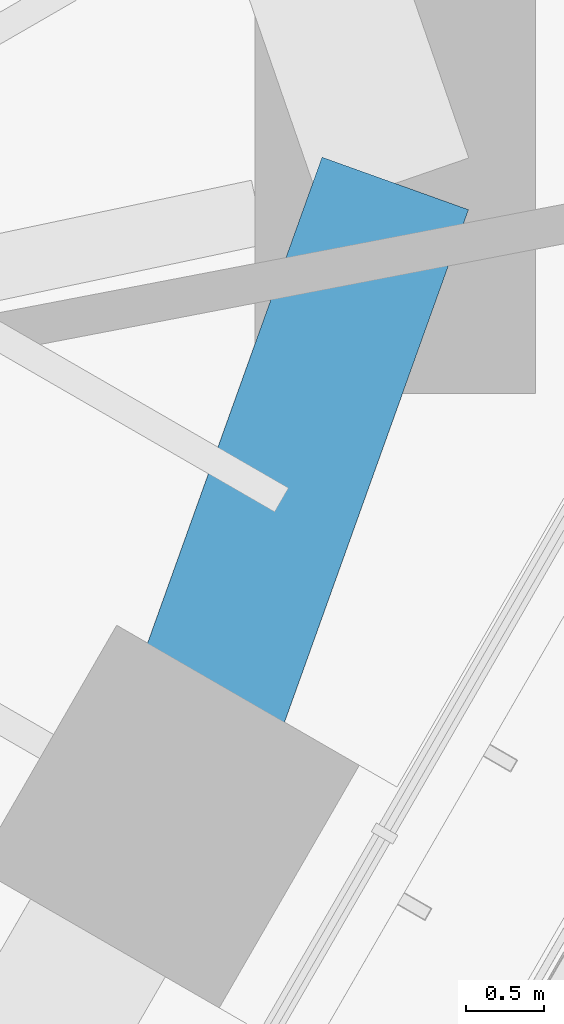
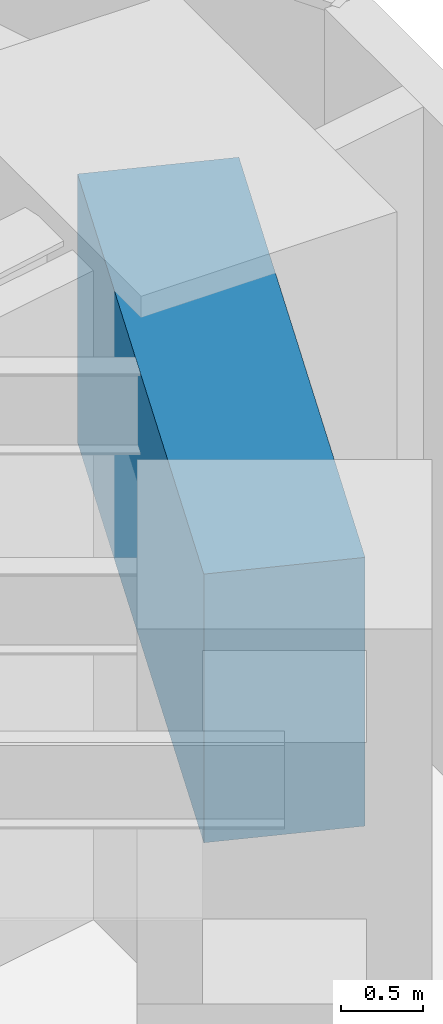
# One storey, part 124 of 228: 1 beam.
"""IFC4 building model written with IfcOpenShell, lengths in metres."""

from ifc_helpers import new_model, si_unit, direction, frame, origin, origin_2d, place, context, subcontext, project, spatial, rectangle, extrude, material, material_profile, profile_set, type_object, element, save


model = new_model("IFC4")

# Units and contexts
model_context = context("Model", 3, precision=1e-05, world=origin(), true_north=direction((0.0, 1.0)))
body_context = subcontext(model_context, "Body", "Model", "MODEL_VIEW")
ifc_project = project(units=[si_unit("LENGTHUNIT", "METRE"), si_unit("AREAUNIT", "SQUARE_METRE"), si_unit("VOLUMEUNIT", "CUBIC_METRE"), si_unit("PLANEANGLEUNIT", "RADIAN"), si_unit("MASSUNIT", "GRAM", prefix="KILO")], contexts=[model_context])

# Site, building, storey
site_placement = place(None, origin())
site = spatial("IfcSite", under=ifc_project, at=site_placement, CompositionType="ELEMENT")
building_placement = place(site_placement, origin())
building = spatial("IfcBuilding", under=site, at=building_placement, Name="Sandreach Pilgrim Tower", CompositionType="ELEMENT")
storey_placement = place(building_placement, frame((0.0, 0.0, 178.199951171875)))
storey = spatial("IfcBuildingStorey", under=building, at=storey_placement, Name="L44", CompositionType="ELEMENT", Elevation=178.199951171875)

# Beam
ifc_material = material(Name="Concrete 10000 psi", Category="concrete")
ifc_material_profile = material_profile(ifc_material, rectangle(XDim=1.0, YDim=2.0, at=origin_2d()), Name="RC1000X2000")
ifc_profile_set = profile_set([ifc_material_profile], Name="Concrete 10000 psi")
beam_type = type_object("IfcBeamType", Name="Spandrel beam RC1000X2000", PredefinedType="SPANDREL", material=ifc_profile_set)
beam_placement = place(storey_placement, frame((25.156494140625, 5.311279296875, 3.840087890625), z_axis=(-0.337863470932, -0.941195131208, 0.0), x_axis=(0.941195131208, -0.337863470932, 0.0)))
element("IfcBeam", 1, at=beam_placement, inside=storey, type_object=beam_type, Name="BM L44 SP13", PredefinedType="SPANDREL", context=body_context, shape_type="SweptSolid", body=[
    extrude(rectangle(XDim=1.0, YDim=2.0, at=origin_2d()), origin(), (0.0, 0.0, 1.0), 4.3232421875),
])

save(model, "model.ifc")
